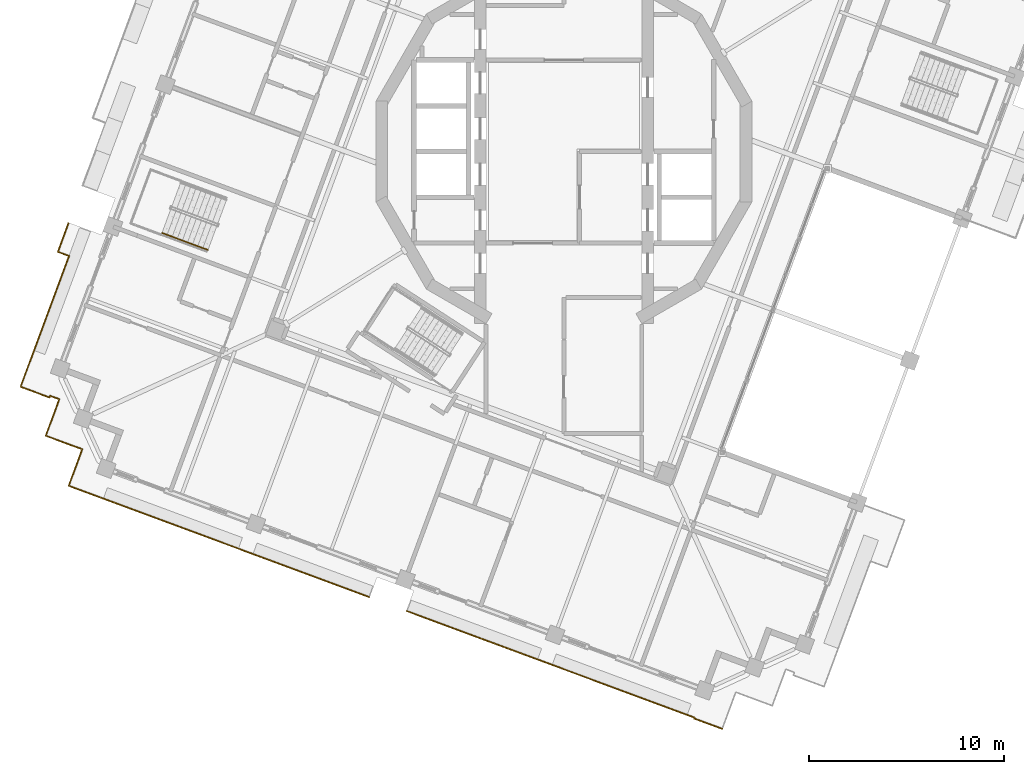
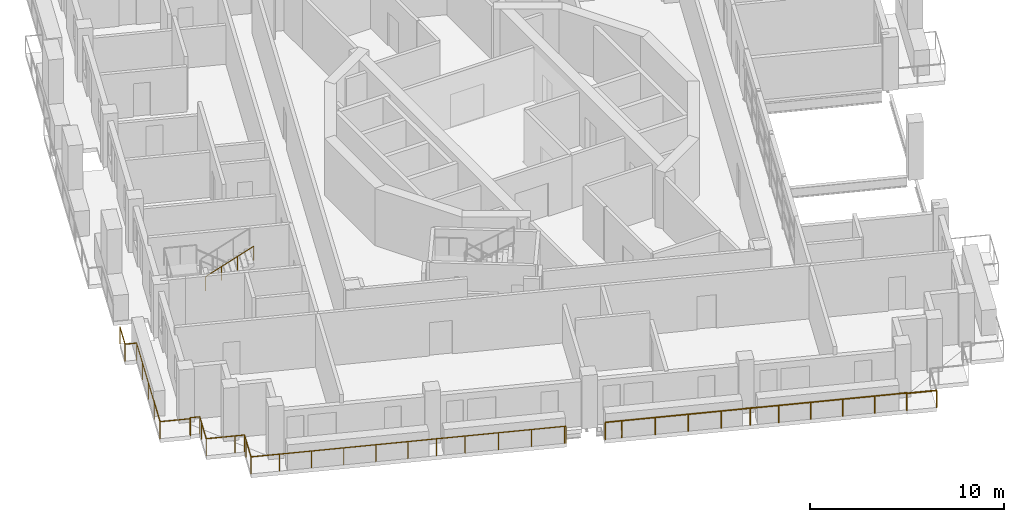
# One storey, part 13 of 19: 4 railings.
"""IFC4 building model written with IfcOpenShell, lengths in metres."""

from ifc_helpers import new_model, si_unit, direction, frame, origin, origin_2d, place, context, subcontext, project, spatial, circle, extrude, material, type_object, element, save


model = new_model("IFC4")

# Units and contexts
model_context = context("Model", 3, precision=1e-05, world=origin(), true_north=direction((0.0, 1.0)))
body_context = subcontext(model_context, "Body", "Model", "MODEL_VIEW")
ifc_project = project(units=[si_unit("LENGTHUNIT", "METRE"), si_unit("AREAUNIT", "SQUARE_METRE"), si_unit("VOLUMEUNIT", "CUBIC_METRE"), si_unit("PLANEANGLEUNIT", "RADIAN"), si_unit("MASSUNIT", "GRAM", prefix="KILO")], contexts=[model_context])

# Site, building, storey
site_placement = place(None, origin())
site = spatial("IfcSite", under=ifc_project, at=site_placement, CompositionType="ELEMENT")
building_placement = place(site_placement, origin())
building = spatial("IfcBuilding", under=site, at=building_placement, Name="Cantera Rosa Tower", CompositionType="ELEMENT")
storey_placement = place(building_placement, frame((0.0, 0.0, 334.89990234375)))
storey = spatial("IfcBuildingStorey", under=building, at=storey_placement, Name="L75", CompositionType="ELEMENT", Elevation=334.89990234375)

# Railings
ifc_material_1 = material(Name="Stainless steel and laminated glass", Category="steel")
railing_type_1 = type_object("IfcRailingType", Name="GUARD 1100", PredefinedType="BALUSTRADE", material=ifc_material_1)
railing_1_placement = place(storey_placement, frame((8.14208984375, -29.674072265625, 0.0)))
element("IfcRailing", 1, at=railing_1_placement, inside=storey, type_object=railing_type_1, Name="GUARD L75-1", PredefinedType="BALUSTRADE", context=body_context, shape_type="SweptSolid", body=[
    extrude(circle(Radius=0.030029296875, at=origin_2d()), frame((0.0, 0.0, 1.070068359375), z_axis=(-0.937710656911, 0.347417218795, 0.0), x_axis=(-0.347417218795, -0.937710656911, 0.0)), (0.0, 0.0, 1.0), 1.5458984375),
    extrude(circle(Radius=0.030029296875, at=origin_2d()), frame((-1.44970703125, 0.537109375, 1.070068359375), z_axis=(0.351123441588, 0.936329177569, 0.0), x_axis=(-0.936329177569, 0.351123441588, 0.0)), (0.0, 0.0, 1.0), 0.0458984375),
    extrude(circle(Radius=0.030029296875, at=origin_2d()), frame((-1.43359375, 0.580078125, 1.070068359375), z_axis=(-0.937686328856, 0.347482875373, 0.0), x_axis=(-0.347482875373, -0.937686328856, 0.0)), (0.0, 0.0, 1.0), 6.699951171875),
    extrude(circle(Radius=0.030029296875, at=origin_2d()), frame((-7.716064453125, 2.908203125, 1.070068359375), z_axis=(-0.93768985062, 0.347473371704, 0.0), x_axis=(-0.347473371704, -0.93768985062, 0.0)), (0.0, 0.0, 1.0), 3.000244140625),
    extrude(circle(Radius=0.030029296875, at=origin_2d()), frame((-10.529296875, 3.95068359375, 1.070068359375), z_axis=(-0.937688147358, 0.347477968085, 0.0), x_axis=(-0.347477968085, -0.937688147358, 0.0)), (0.0, 0.0, 1.0), 5.199951171875),
    extrude(circle(Radius=0.030029296875, at=origin_2d()), frame((-15.4052734375, 5.757568359375, 1.070068359375), z_axis=(-0.937694580373, 0.347460607753, 0.0), x_axis=(-0.347460607753, -0.937694580373, 0.0)), (0.0, 0.0, 1.0), 0.869873046875),
    extrude(circle(Radius=0.02490234375, at=origin_2d()), origin(), (0.0, 0.0, 1.0), 1.0400390625),
    extrude(circle(Radius=0.02490234375, at=origin_2d()), frame((-1.44970703125, 0.537109375, 0.0)), (0.0, 0.0, 1.0), 1.0400390625),
    extrude(circle(Radius=0.02490234375, at=origin_2d()), frame((-1.43359375, 0.580078125, 0.0)), (0.0, 0.0, 1.0), 1.0400390625),
    extrude(circle(Radius=0.02490234375, at=origin_2d()), frame((-3.004150390625, 1.162109375, 0.0)), (0.0, 0.0, 1.0), 1.0400390625),
    extrude(circle(Radius=0.02490234375, at=origin_2d()), frame((-4.57470703125, 1.744140625, 0.0)), (0.0, 0.0, 1.0), 1.0400390625),
    extrude(circle(Radius=0.02490234375, at=origin_2d()), frame((-6.1455078125, 2.326171875, 0.0)), (0.0, 0.0, 1.0), 1.0400390625),
    extrude(circle(Radius=0.02490234375, at=origin_2d()), frame((-7.716064453125, 2.908203125, 0.0)), (0.0, 0.0, 1.0), 1.0400390625),
    extrude(circle(Radius=0.02490234375, at=origin_2d()), frame((-9.12255859375, 3.429443359375, 0.0)), (0.0, 0.0, 1.0), 1.0400390625),
    extrude(circle(Radius=0.02490234375, at=origin_2d()), frame((-10.529296875, 3.95068359375, 0.0)), (0.0, 0.0, 1.0), 1.0400390625),
    extrude(circle(Radius=0.02490234375, at=origin_2d()), frame((-12.154541015625, 4.552978515625, 0.0)), (0.0, 0.0, 1.0), 1.0400390625),
    extrude(circle(Radius=0.02490234375, at=origin_2d()), frame((-13.780029296875, 5.1552734375, 0.0)), (0.0, 0.0, 1.0), 1.0400390625),
    extrude(circle(Radius=0.02490234375, at=origin_2d()), frame((-15.4052734375, 5.757568359375, 0.0)), (0.0, 0.0, 1.0), 1.0400390625),
    extrude(circle(Radius=0.02490234375, at=origin_2d()), frame((-16.220947265625, 6.059814453125, 0.0)), (0.0, 0.0, 1.0), 1.0400390625),
])
railing_2_placement = place(storey_placement, frame((-26.113525390625, -13.198486328125, 0.0)))
element("IfcRailing", 2, at=railing_2_placement, inside=storey, type_object=railing_type_1, Name="GUARD L75-3", PredefinedType="BALUSTRADE", context=body_context, shape_type="SweptSolid", body=[
    extrude(circle(Radius=0.030029296875, at=origin_2d()), frame((0.0, 0.0, 1.070068359375), z_axis=(0.347696042931, 0.937607306781, 0.0), x_axis=(-0.937607306781, 0.347696042931, 0.0)), (0.0, 0.0, 1.0), 0.5),
    extrude(circle(Radius=0.030029296875, at=origin_2d()), frame((0.173828125, 0.46875, 1.070068359375), z_axis=(-0.937607306781, 0.347696042931, 0.0), x_axis=(-0.347696042931, -0.937607306781, 0.0)), (0.0, 0.0, 1.0), 0.5),
    extrude(circle(Radius=0.030029296875, at=origin_2d()), frame((-0.294921875, 0.642578125, 1.070068359375), z_axis=(-0.348733712021, -0.937221851058, 0.0), x_axis=(0.937221851058, -0.348733712021, 0.0)), (0.0, 0.0, 1.0), 0.089599609375),
    extrude(circle(Radius=0.030029296875, at=origin_2d()), frame((-0.326171875, 0.55859375, 1.070068359375), z_axis=(-0.937704286129, 0.347434413632, 0.0), x_axis=(-0.347434413632, -0.937704286129, 0.0)), (0.0, 0.0, 1.0), 1.589599609375),
    extrude(circle(Radius=0.030029296875, at=origin_2d()), frame((-1.816650390625, 1.11083984375, 1.070068359375), z_axis=(0.347478495795, 0.937687951805, 0.0), x_axis=(-0.937687951805, 0.347478495795, 0.0)), (0.0, 0.0, 1.0), 7.16943359375),
    extrude(circle(Radius=0.030029296875, at=origin_2d()), frame((0.674560546875, 7.83349609375, 1.070068359375), z_axis=(-0.937734294908, 0.347353411029, 0.0), x_axis=(-0.347353411029, -0.937734294908, 0.0)), (0.0, 0.0, 1.0), 0.61083984375),
    extrude(circle(Radius=0.030029296875, at=origin_2d()), frame((0.101806640625, 8.045654296875, 1.070068359375), z_axis=(0.347491582396, 0.937683102207, 0.0), x_axis=(-0.937683102207, 0.347491582396, 0.0)), (0.0, 0.0, 1.0), 1.5703125),
    extrude(circle(Radius=0.02490234375, at=origin_2d()), origin(), (0.0, 0.0, 1.0), 1.0400390625),
    extrude(circle(Radius=0.02490234375, at=origin_2d()), frame((0.173828125, 0.46875, 0.0)), (0.0, 0.0, 1.0), 1.0400390625),
    extrude(circle(Radius=0.02490234375, at=origin_2d()), frame((-0.294921875, 0.642578125, 0.0)), (0.0, 0.0, 1.0), 1.0400390625),
    extrude(circle(Radius=0.02490234375, at=origin_2d()), frame((-0.326171875, 0.55859375, 0.0)), (0.0, 0.0, 1.0), 1.0400390625),
    extrude(circle(Radius=0.02490234375, at=origin_2d()), frame((-1.816650390625, 1.11083984375, 0.0)), (0.0, 0.0, 1.0), 1.0400390625),
    extrude(circle(Radius=0.02490234375, at=origin_2d()), frame((-1.19384765625, 2.79150390625, 0.0)), (0.0, 0.0, 1.0), 1.0400390625),
    extrude(circle(Radius=0.02490234375, at=origin_2d()), frame((-0.571044921875, 4.47216796875, 0.0)), (0.0, 0.0, 1.0), 1.0400390625),
    extrude(circle(Radius=0.02490234375, at=origin_2d()), frame((0.0517578125, 6.15283203125, 0.0)), (0.0, 0.0, 1.0), 1.0400390625),
    extrude(circle(Radius=0.02490234375, at=origin_2d()), frame((0.674560546875, 7.83349609375, 0.0)), (0.0, 0.0, 1.0), 1.0400390625),
    extrude(circle(Radius=0.02490234375, at=origin_2d()), frame((0.101806640625, 8.045654296875, 0.0)), (0.0, 0.0, 1.0), 1.0400390625),
    extrude(circle(Radius=0.02490234375, at=origin_2d()), frame((0.6474609375, 9.51806640625, 0.0)), (0.0, 0.0, 1.0), 1.0400390625),
])
railing_3_placement = place(storey_placement, frame((-10.010498046875, -22.8984375, 0.0)))
element("IfcRailing", 3, at=railing_3_placement, inside=storey, type_object=railing_type_1, Name="GUARD L75-4", PredefinedType="BALUSTRADE", context=body_context, shape_type="SweptSolid", body=[
    extrude(circle(Radius=0.030029296875, at=origin_2d()), frame((0.0, 0.0, 1.070068359375), z_axis=(-0.937327749542, 0.348448977525, 0.0), x_axis=(-0.348448977525, -0.937327749542, 0.0)), (0.0, 0.0, 1.0), 0.070068359375),
    extrude(circle(Radius=0.030029296875, at=origin_2d()), frame((-0.065673828125, 0.0244140625, 1.070068359375), z_axis=(-0.937688147358, 0.347477968085, 0.0), x_axis=(-0.347477968085, -0.937688147358, 0.0)), (0.0, 0.0, 1.0), 5.199951171875),
    extrude(circle(Radius=0.030029296875, at=origin_2d()), frame((-4.941650390625, 1.831298828125, 1.070068359375), z_axis=(-0.937680024402, 0.347499887537, 0.0), x_axis=(-0.347499887537, -0.937680024402, 0.0)), (0.0, 0.0, 1.0), 3.0),
    extrude(circle(Radius=0.030029296875, at=origin_2d()), frame((-7.754638671875, 2.873779296875, 1.070068359375), z_axis=(-0.937686328856, 0.347482875373, 0.0), x_axis=(-0.347482875373, -0.937686328856, 0.0)), (0.0, 0.0, 1.0), 6.699951171875),
    extrude(circle(Radius=0.030029296875, at=origin_2d()), frame((-14.037109375, 5.201904296875, 1.070068359375), z_axis=(-0.93769967459, 0.347446859641, 0.0), x_axis=(-0.347446859641, -0.93769967459, 0.0)), (0.0, 0.0, 1.0), 1.500244140625),
    extrude(circle(Radius=0.030029296875, at=origin_2d()), frame((-15.44384765625, 5.72314453125, 1.070068359375), z_axis=(0.347499887537, 0.937680024402, 0.0), x_axis=(-0.937680024402, 0.347499887537, 0.0)), (0.0, 0.0, 1.0), 1.5),
    extrude(circle(Radius=0.030029296875, at=origin_2d()), frame((-14.922607421875, 7.129638671875, 1.070068359375), z_axis=(0.347696042931, 0.937607306781, 0.0), x_axis=(-0.937607306781, 0.347696042931, 0.0)), (0.0, 0.0, 1.0), 0.5),
    extrude(circle(Radius=0.030029296875, at=origin_2d()), frame((-14.748779296875, 7.598388671875, 1.070068359375), z_axis=(-0.937607306781, 0.347696042931, 0.0), x_axis=(-0.347696042931, -0.937607306781, 0.0)), (0.0, 0.0, 1.0), 0.5),
    extrude(circle(Radius=0.030029296875, at=origin_2d()), frame((-15.217529296875, 7.772216796875, 1.070068359375), z_axis=(-0.93769967459, 0.347446859641, 0.0), x_axis=(-0.347446859641, -0.93769967459, 0.0)), (0.0, 0.0, 1.0), 1.500244140625),
    extrude(circle(Radius=0.030029296875, at=origin_2d()), frame((-16.624267578125, 8.29345703125, 1.070068359375), z_axis=(0.347499887537, 0.937680024402, 0.0), x_axis=(-0.937680024402, 0.347499887537, 0.0)), (0.0, 0.0, 1.0), 1.5),
    extrude(circle(Radius=0.02490234375, at=origin_2d()), origin(), (0.0, 0.0, 1.0), 1.0400390625),
    extrude(circle(Radius=0.02490234375, at=origin_2d()), frame((-0.065673828125, 0.0244140625, 0.0)), (0.0, 0.0, 1.0), 1.0400390625),
    extrude(circle(Radius=0.02490234375, at=origin_2d()), frame((-1.69091796875, 0.626708984375, 0.0)), (0.0, 0.0, 1.0), 1.0400390625),
    extrude(circle(Radius=0.02490234375, at=origin_2d()), frame((-3.31640625, 1.22900390625, 0.0)), (0.0, 0.0, 1.0), 1.0400390625),
    extrude(circle(Radius=0.02490234375, at=origin_2d()), frame((-4.941650390625, 1.831298828125, 0.0)), (0.0, 0.0, 1.0), 1.0400390625),
    extrude(circle(Radius=0.02490234375, at=origin_2d()), frame((-6.34814453125, 2.3525390625, 0.0)), (0.0, 0.0, 1.0), 1.0400390625),
    extrude(circle(Radius=0.02490234375, at=origin_2d()), frame((-7.754638671875, 2.873779296875, 0.0)), (0.0, 0.0, 1.0), 1.0400390625),
    extrude(circle(Radius=0.02490234375, at=origin_2d()), frame((-9.3251953125, 3.455810546875, 0.0)), (0.0, 0.0, 1.0), 1.0400390625),
    extrude(circle(Radius=0.02490234375, at=origin_2d()), frame((-10.89599609375, 4.037841796875, 0.0)), (0.0, 0.0, 1.0), 1.0400390625),
    extrude(circle(Radius=0.02490234375, at=origin_2d()), frame((-12.466552734375, 4.619873046875, 0.0)), (0.0, 0.0, 1.0), 1.0400390625),
    extrude(circle(Radius=0.02490234375, at=origin_2d()), frame((-14.037109375, 5.201904296875, 0.0)), (0.0, 0.0, 1.0), 1.0400390625),
    extrude(circle(Radius=0.02490234375, at=origin_2d()), frame((-15.44384765625, 5.72314453125, 0.0)), (0.0, 0.0, 1.0), 1.0400390625),
    extrude(circle(Radius=0.02490234375, at=origin_2d()), frame((-14.922607421875, 7.129638671875, 0.0)), (0.0, 0.0, 1.0), 1.0400390625),
    extrude(circle(Radius=0.02490234375, at=origin_2d()), frame((-14.748779296875, 7.598388671875, 0.0)), (0.0, 0.0, 1.0), 1.0400390625),
    extrude(circle(Radius=0.02490234375, at=origin_2d()), frame((-15.217529296875, 7.772216796875, 0.0)), (0.0, 0.0, 1.0), 1.0400390625),
    extrude(circle(Radius=0.02490234375, at=origin_2d()), frame((-16.624267578125, 8.29345703125, 0.0)), (0.0, 0.0, 1.0), 1.0400390625),
    extrude(circle(Radius=0.02490234375, at=origin_2d()), frame((-16.10302734375, 9.699951171875, 0.0)), (0.0, 0.0, 1.0), 1.0400390625),
])
ifc_material_2 = material(Name="Steel S355J2 (EN 10025-2)", Category="steel")
railing_type_2 = type_object("IfcRailingType", Name="STAIR HANDRAIL 900", PredefinedType="HANDRAIL", material=ifc_material_2)
railing_4_placement = place(storey_placement, frame((-20.660400390625, -4.181396484375, 1.97998046875)))
element("IfcRailing", 4, at=railing_4_placement, inside=storey, type_object=railing_type_2, Name="L75 ST-63 stair handrail 2", PredefinedType="HANDRAIL", context=body_context, shape_type="SweptSolid", body=[
    extrude(circle(Radius=0.02392578125, at=origin_2d()), frame((0.0, 0.0, 0.8759765625), z_axis=(0.788747577403, -0.292306804437, 0.540771662738), x_axis=(0.347500508527, 0.937679794265, 0.0)), (0.0, 0.0, 1.0), 2.995849609375),
    extrude(circle(Radius=0.02099609375, at=origin_2d()), origin(), (0.0, 0.0, 1.0), 0.851806640625),
    extrude(circle(Radius=0.02099609375, at=origin_2d()), frame((0.78759765625, -0.2919921875, 0.5400390625)), (0.0, 0.0, 1.0), 0.851806640625),
    extrude(circle(Radius=0.02099609375, at=origin_2d()), frame((1.575439453125, -0.583740234375, 1.080078125)), (0.0, 0.0, 1.0), 0.851806640625),
    extrude(circle(Radius=0.02099609375, at=origin_2d()), frame((2.363037109375, -0.875732421875, 1.6201171875)), (0.0, 0.0, 1.0), 0.851806640625),
])

save(model, "model.ifc")
